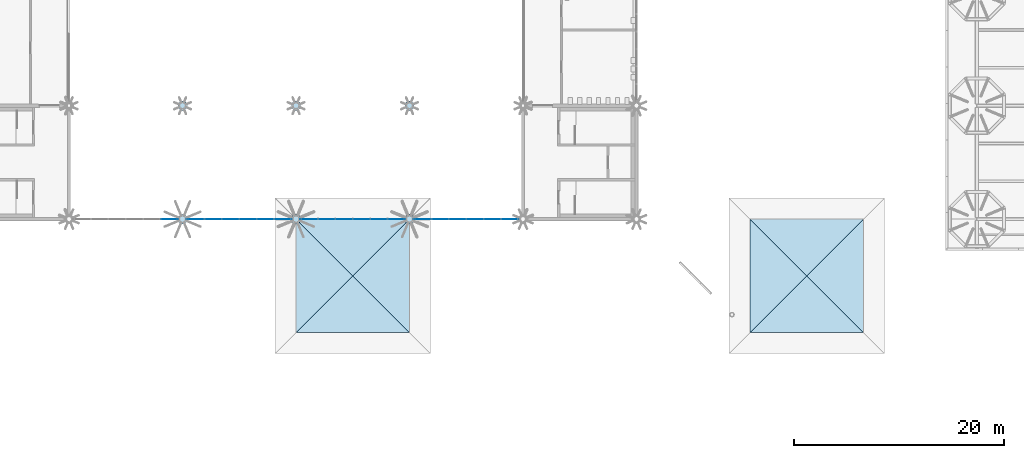
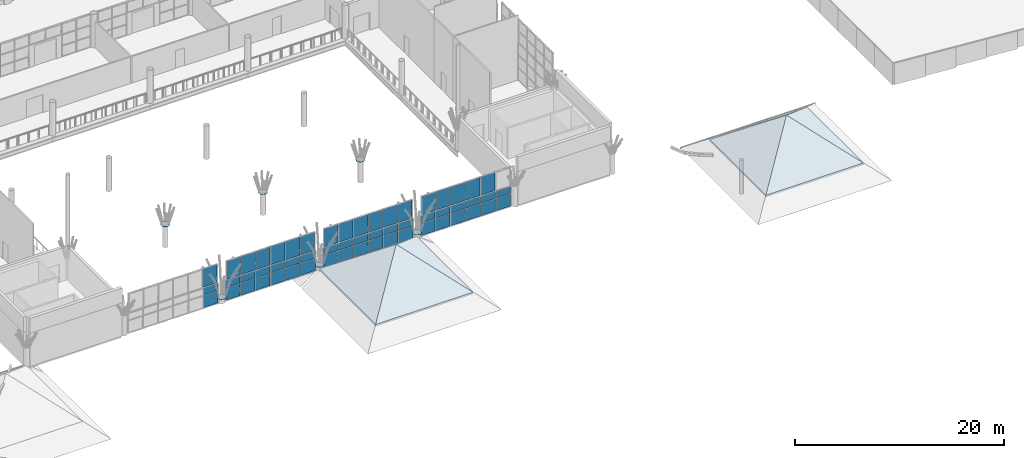
# One storey, part 48 of 95: 62 plates, 8 slabs, 8 elements without a shape of their own.
"""IFC4 building model written with IfcOpenShell, lengths in metres."""

import ifcopenshell
import ifcopenshell.guid

model = None  # the IFC model being written
_history = None  # IfcOwnerHistory: only IFC2X3 demands one
_inside = {}  # id of a spatial element -> (the spatial element, [elements in it])
_under = {}  # id of a project, library or spatial element -> (it, [spatial elements below it])
_declared = {}  # id of a project -> (the project, [libraries it declares])
_typed = {}  # id of a type object -> (the type object, [elements of that type])
_made_of = {}  # id of a material, layer set ... -> (it, [elements and type objects made of it])


def new_model(schema):
    """Start an empty IFC model of exactly this schema.

    Asked for "IFC4X3", IfcOpenShell would pick the latest addendum, in which some entities
    have other attributes; the version numbers below select the first issue.
    IFC2X3 requires an IfcOwnerHistory on every rooted entity: one is made here for all.
    """
    global model, _history
    if schema == "IFC4X3":
        model = ifcopenshell.file(schema_version=(4, 3, 0, 0))
    else:
        model = ifcopenshell.file(schema=schema)
    _inside.clear()
    _under.clear()
    _declared.clear()
    _typed.clear()
    _made_of.clear()
    _history = None
    if model.schema == "IFC2X3":
        org = make("IfcOrganization", Name="unknown")
        user = make(
            "IfcPersonAndOrganization",
            ThePerson=make("IfcPerson", FamilyName="unknown"),
            TheOrganization=org,
        )
        app = make(
            "IfcApplication",
            ApplicationDeveloper=org,
            Version="unknown",
            ApplicationFullName="unknown",
            ApplicationIdentifier="unknown",
        )
        _history = make(
            "IfcOwnerHistory",
            OwningUser=user,
            OwningApplication=app,
            ChangeAction="ADDED",
            CreationDate=0,
        )
    return model


def make(cls, **values):
    """One entity of the class cls with the attributes given. An attribute that is None is left unset."""
    return model.create_entity(
        cls, **{name: value for name, value in values.items() if value is not None}
    )


def rooted(cls, **values):
    """An entity with a GlobalId (a new one), such as an element, a storey or a relation."""
    return make(cls, GlobalId=ifcopenshell.guid.new(), OwnerHistory=_history, **values)


def si_unit(unit_type, name, prefix=None):
    """IfcSIUnit, for example si_unit("LENGTHUNIT", "METRE", prefix="MILLI")."""
    return make("IfcSIUnit", UnitType=unit_type, Prefix=prefix, Name=name)


def assignment(units):
    """IfcUnitAssignment: the units of a project."""
    return None if units is None else make("IfcUnitAssignment", Units=units)


def point(xyz):
    """IfcCartesianPoint."""
    return None if xyz is None else make("IfcCartesianPoint", Coordinates=xyz)


def direction(xyz):
    """IfcDirection."""
    return None if xyz is None else make("IfcDirection", DirectionRatios=xyz)


def frame(location, z_axis=None, x_axis=None):
    """IfcAxis2Placement3D, a coordinate frame: its origin and axes. An axis left out is left unset."""
    return make(
        "IfcAxis2Placement3D",
        Location=point(location),
        Axis=direction(z_axis),
        RefDirection=direction(x_axis),
    )


def frame_2d(location, x_axis=None):
    """IfcAxis2Placement2D, a coordinate frame in the plane: its origin and x axis."""
    return make(
        "IfcAxis2Placement2D", Location=point(location), RefDirection=direction(x_axis)
    )


def origin():
    """The frame at (0, 0, 0) with its axes left unset."""
    return frame((0.0, 0.0, 0.0))


def origin_2d():
    """The frame at (0, 0) in the plane with its x axis left unset."""
    return frame_2d((0.0, 0.0))


def place(relative_to, where):
    """IfcLocalPlacement: puts the frame where relative to a parent placement (None: the world)."""
    return make(
        "IfcLocalPlacement", PlacementRelTo=relative_to, RelativePlacement=where
    )


def context(
    kind, dimensions, precision=None, world=None, true_north=None, identifier=None
):
    """IfcGeometricRepresentationContext, for example the 3D "Model" context."""
    return make(
        "IfcGeometricRepresentationContext",
        ContextIdentifier=identifier,
        ContextType=kind,
        CoordinateSpaceDimension=dimensions,
        Precision=precision,
        WorldCoordinateSystem=world,
        TrueNorth=true_north,
    )


def subcontext(parent, identifier, kind, view, scale=None):
    """IfcGeometricRepresentationSubContext, for example "Body" below "Model"."""
    return make(
        "IfcGeometricRepresentationSubContext",
        ContextIdentifier=identifier,
        ContextType=kind,
        ParentContext=parent,
        TargetScale=scale,
        TargetView=view,
    )


def project(units=None, contexts=None):
    """IfcProject with its units and contexts."""
    return rooted(
        "IfcProject",
        Name="project",
        RepresentationContexts=contexts,
        UnitsInContext=assignment(units),
    )


def spatial(cls, under=None, at=None, **own):
    """A site, building, storey or space (cls), placed at a placement, below another one or the project."""
    s = rooted(cls, ObjectPlacement=at, **own)
    if under is not None:
        _under.setdefault(under.id(), (under, []))[1].append(s)
    return s


def polyline(points):
    """IfcPolyline through the points."""
    return make("IfcPolyline", Points=[point(p) for p in points])


def profile(cls, at=None, kind="AREA", **sizes):
    """A parametric profile (cls). Its sizes go by their IFC names, for example OverallWidth=200.0."""
    return make(cls, ProfileType=kind, Position=at, **sizes)


def rectangle(**sizes):
    """IfcRectangleProfileDef."""
    return profile("IfcRectangleProfileDef", **sizes)


def circle(**sizes):
    """IfcCircleProfileDef."""
    return profile("IfcCircleProfileDef", **sizes)


def outline(outer, holes=None, kind="AREA"):
    """IfcArbitraryClosedProfileDef: a profile drawn as a closed curve; with holes, ...WithVoids."""
    if holes is None:
        return make("IfcArbitraryClosedProfileDef", ProfileType=kind, OuterCurve=outer)
    return make(
        "IfcArbitraryProfileDefWithVoids",
        ProfileType=kind,
        OuterCurve=outer,
        InnerCurves=holes,
    )


def extrude(swept, where, along, depth):
    """IfcExtrudedAreaSolid: the profile swept, set in the frame where, extruded along a direction by depth."""
    return make(
        "IfcExtrudedAreaSolid",
        SweptArea=swept,
        Position=where,
        ExtrudedDirection=direction(along),
        Depth=depth,
    )


def shape(context_of_items, identifier, shape_type, items):
    """IfcShapeRepresentation: the items that make up one representation, for example the "Body"."""
    return make(
        "IfcShapeRepresentation",
        ContextOfItems=context_of_items,
        RepresentationIdentifier=identifier,
        RepresentationType=shape_type,
        Items=items,
    )


def material(Name=None, Category=None):
    """IfcMaterial."""
    return make("IfcMaterial", Name=Name, Category=Category)


def layer(
    of_material, thickness, ventilated=None, Name=None, Category=None, Priority=None
):
    """IfcMaterialLayer: one layer of a wall or slab, of a material (None: an air gap)."""
    return make(
        "IfcMaterialLayer",
        Material=of_material,
        LayerThickness=thickness,
        IsVentilated=ventilated,
        Name=Name,
        Category=Category,
        Priority=Priority,
    )


def layer_set(layers, Name=None):
    """IfcMaterialLayerSet."""
    return make("IfcMaterialLayerSet", MaterialLayers=layers, LayerSetName=Name)


def material_profile(
    of_material, cross_section, Name=None, Category=None, Priority=None
):
    """IfcMaterialProfile: a cross section and its material."""
    return make(
        "IfcMaterialProfile",
        Name=Name,
        Material=of_material,
        Profile=cross_section,
        Priority=Priority,
        Category=Category,
    )


def profile_set(profiles, Name=None, composite=None):
    """IfcMaterialProfileSet."""
    return make(
        "IfcMaterialProfileSet",
        Name=Name,
        MaterialProfiles=profiles,
        CompositeProfile=composite,
    )


def made_of(thing, what):
    """Note that an element or type object is made of a material, layer set ...; save() writes the relation."""
    if what is not None:
        _made_of.setdefault(what.id(), (what, []))[1].append(thing)
    return thing


def type_object(cls, material=None, **own):
    """A type object (cls), such as IfcWallType, which elements share."""
    return made_of(rooted(cls, **own), material)


def element(
    cls,
    number,
    at=None,
    inside=None,
    cuts=None,
    type_object=None,
    material=None,
    context=None,
    identifier="Body",
    shape_type=None,
    held_by="IfcProductDefinitionShape",
    body=None,
    shapes=None,
    **own,
):
    """One element of the class cls, such as IfcWall. Its Tag is "e" and its number.

    at: its placement. inside: the storey or other place that contains it. cuts: it is an
    opening in that element (IfcRelVoidsElement). A single representation is given by context,
    identifier, shape_type and body (its items); several are given by shapes. held_by: the class
    of the entity that holds the representations. save() writes the other relations.
    """
    e = rooted(cls, Tag="e%d" % number, ObjectPlacement=at, **own)
    if body is not None:
        shapes = [shape(context, identifier, shape_type, body)]
    if shapes is not None:
        e.Representation = make(held_by, Representations=shapes)
    if inside is not None:
        _inside.setdefault(inside.id(), (inside, []))[1].append(e)
    if cuts is not None:
        rooted(
            "IfcRelVoidsElement", RelatingBuildingElement=cuts, RelatedOpeningElement=e
        )
    if type_object is not None:
        _typed.setdefault(type_object.id(), (type_object, []))[1].append(e)
    return made_of(e, material)


def aggregate(whole, parts):
    """IfcRelAggregates: a whole, such as a stair, and the parts it consists of."""
    return rooted("IfcRelAggregates", RelatingObject=whole, RelatedObjects=parts)


def save(model, path):
    """Write the relations noted so far, then the file.

    IfcRelAggregates (storeys below a building ...), IfcRelContainedInSpatialStructure (elements
    in a storey), IfcRelDefinesByType, IfcRelAssociatesMaterial and IfcRelDeclares: one each for
    every whole, place, type object, material and project.
    """
    for whole, parts in _under.values():
        aggregate(whole, parts)
    for where, things in _inside.values():
        rooted(
            "IfcRelContainedInSpatialStructure",
            RelatedElements=things,
            RelatingStructure=where,
        )
    for kind, things in _typed.values():
        rooted("IfcRelDefinesByType", RelatedObjects=things, RelatingType=kind)
    for what, things in _made_of.values():
        rooted("IfcRelAssociatesMaterial", RelatedObjects=things, RelatingMaterial=what)
    for by, libraries in _declared.values():
        rooted("IfcRelDeclares", RelatingContext=by, RelatedDefinitions=libraries)
    model.write(path)


model = new_model("IFC4")

# Units and contexts
model_context = context("Model", 3, precision=1e-05, world=origin(), true_north=direction((0.0, 1.0)))
body_context = subcontext(model_context, "Body", "Model", "MODEL_VIEW")
ifc_project = project(units=[si_unit("LENGTHUNIT", "METRE"), si_unit("AREAUNIT", "SQUARE_METRE"), si_unit("VOLUMEUNIT", "CUBIC_METRE"), si_unit("PLANEANGLEUNIT", "RADIAN"), si_unit("MASSUNIT", "GRAM", prefix="KILO")], contexts=[model_context])

# Site, building, storey
site_placement = place(None, origin())
site = spatial("IfcSite", under=ifc_project, at=site_placement, CompositionType="ELEMENT")
building_placement = place(site_placement, origin())
building = spatial("IfcBuilding", under=site, at=building_placement, Name="Magnolia Steps Interchange", CompositionType="ELEMENT")
storey_placement = place(building_placement, frame((0.0, 0.0, 4.800048828125)))
storey = spatial("IfcBuildingStorey", under=building, at=storey_placement, Name="L01", CompositionType="ELEMENT", Elevation=4.800048828125)

# Curtain wall, plates
ifc_material_1 = material(Name="Powder-coated aluminium and glass", Category="aluminium")
ifc_layer_1 = layer(ifc_material_1, 0.14990234375)
ifc_layer_set_1 = layer_set([ifc_layer_1], Name="Glazed hall curtain wall")
curtain_wall_type_1 = type_object("IfcCurtainWallType", Name="Glazed hall curtain wall", PredefinedType="NOTDEFINED", material=ifc_layer_set_1)
curtain_wall_1_placement = place(storey_placement, origin())
curtain_wall_1 = element("IfcCurtainWall", 1, at=curtain_wall_1_placement, inside=storey, type_object=curtain_wall_type_1, Name="Hall glazing S2 L01", PredefinedType="NOTDEFINED")
ifc_material_2 = material(Name="Laminated glass", Category="glass")
ifc_layer_2 = layer(ifc_material_2, 0.028076171875)
ifc_layer_set_2 = layer_set([ifc_layer_2], Name="Glass panel 28")
plate_type_1 = type_object("IfcPlateType", Name="Glass panel 28", PredefinedType="CURTAIN_PANEL", material=ifc_layer_set_2)
plate_1_placement = place(storey_placement, frame((73.5849609375, 42.39990234375, 0.06005859375), z_axis=(0.0, 0.0, 1.0), x_axis=(1.0, 0.0, 0.0)))
plate_1 = element("IfcPlate", 2, at=plate_1_placement, type_object=plate_type_1, Name="CW1 panel 6.1", PredefinedType="CURTAIN_PANEL", context=body_context, shape_type="SweptSolid", body=[
    extrude(rectangle(XDim=1.590087890625, YDim=0.028076171875, at=origin_2d()), origin(), (0.0, 0.0, 1.0), 1.409912109375),
])
plate_2_placement = place(storey_placement, frame((73.5849609375, 42.39990234375, 1.530029296875), z_axis=(0.0, 0.0, 1.0), x_axis=(1.0, 0.0, 0.0)))
plate_2 = element("IfcPlate", 3, at=plate_2_placement, type_object=plate_type_1, Name="CW1 panel 6.2", PredefinedType="CURTAIN_PANEL", context=body_context, shape_type="SweptSolid", body=[
    extrude(rectangle(XDim=1.590087890625, YDim=0.028076171875, at=origin_2d()), origin(), (0.0, 0.0, 1.0), 0.81005859375),
])
aggregate(curtain_wall_1, [plate_1, plate_2])

# Curtain wall, plate
ifc_material_3 = material(Name="Powder-coated aluminium and glass", Category="aluminium")
ifc_layer_3 = layer(ifc_material_3, 0.1201171875)
ifc_layer_set_3 = layer_set([ifc_layer_3], Name="Hall clerestory curtain wall")
curtain_wall_type_2 = type_object("IfcCurtainWallType", Name="Hall clerestory curtain wall", PredefinedType="NOTDEFINED", material=ifc_layer_set_3)
curtain_wall_2_placement = place(storey_placement, origin())
curtain_wall_2 = element("IfcCurtainWall", 4, at=curtain_wall_2_placement, inside=storey, type_object=curtain_wall_type_2, Name="Hall clerestory S2", PredefinedType="NOTDEFINED")
plate_3_placement = place(storey_placement, frame((73.485107421875, 42.39990234375, 2.4599609375), z_axis=(0.0, 0.0, 1.0), x_axis=(1.0, 0.0, 0.0)))
plate_3 = element("IfcPlate", 5, at=plate_3_placement, type_object=plate_type_1, Name="CW6 panel 6.1", PredefinedType="CURTAIN_PANEL", context=body_context, shape_type="SweptSolid", body=[
    extrude(rectangle(XDim=1.550048828125, YDim=0.028076171875, at=origin_2d()), origin(), (0.0, 0.0, 1.0), 2.12890625),
])
aggregate(curtain_wall_2, [plate_3])

# Curtain wall, plates
curtain_wall_3_placement = place(storey_placement, origin())
curtain_wall_3 = element("IfcCurtainWall", 6, at=curtain_wall_3_placement, inside=storey, type_object=curtain_wall_type_1, Name="Hall glazing S3 L01", PredefinedType="NOTDEFINED")
plate_4_placement = place(storey_placement, frame((76.014892578125, 42.39990234375, 0.06005859375), z_axis=(0.0, 0.0, 1.0), x_axis=(1.0, 0.0, 0.0)))
plate_4 = element("IfcPlate", 7, at=plate_4_placement, type_object=plate_type_1, Name="CW1 panel 1.1", PredefinedType="CURTAIN_PANEL", context=body_context, shape_type="SweptSolid", body=[
    extrude(rectangle(XDim=1.590087890625, YDim=0.028076171875, at=origin_2d()), origin(), (0.0, 0.0, 1.0), 1.409912109375),
])
plate_5_placement = place(storey_placement, frame((76.014892578125, 42.39990234375, 1.530029296875), z_axis=(0.0, 0.0, 1.0), x_axis=(1.0, 0.0, 0.0)))
plate_5 = element("IfcPlate", 8, at=plate_5_placement, type_object=plate_type_1, Name="CW1 panel 1.2", PredefinedType="CURTAIN_PANEL", context=body_context, shape_type="SweptSolid", body=[
    extrude(rectangle(XDim=1.590087890625, YDim=0.028076171875, at=origin_2d()), origin(), (0.0, 0.0, 1.0), 0.81005859375),
])
plate_6_placement = place(storey_placement, frame((77.679931640625, 42.39990234375, 0.06005859375), z_axis=(0.0, 0.0, 1.0), x_axis=(1.0, 0.0, 0.0)))
plate_6 = element("IfcPlate", 9, at=plate_6_placement, type_object=plate_type_1, Name="CW1 panel 2.1", PredefinedType="CURTAIN_PANEL", context=body_context, shape_type="SweptSolid", body=[
    extrude(rectangle(XDim=1.6201171875, YDim=0.028076171875, at=origin_2d()), origin(), (0.0, 0.0, 1.0), 1.409912109375),
])
plate_7_placement = place(storey_placement, frame((77.679931640625, 42.39990234375, 1.530029296875), z_axis=(0.0, 0.0, 1.0), x_axis=(1.0, 0.0, 0.0)))
plate_7 = element("IfcPlate", 10, at=plate_7_placement, type_object=plate_type_1, Name="CW1 panel 2.2", PredefinedType="CURTAIN_PANEL", context=body_context, shape_type="SweptSolid", body=[
    extrude(rectangle(XDim=1.6201171875, YDim=0.028076171875, at=origin_2d()), origin(), (0.0, 0.0, 1.0), 0.81005859375),
])
plate_8_placement = place(storey_placement, frame((79.360107421875, 42.39990234375, 0.06005859375), z_axis=(0.0, 0.0, 1.0), x_axis=(1.0, 0.0, 0.0)))
plate_8 = element("IfcPlate", 11, at=plate_8_placement, type_object=plate_type_1, Name="CW1 panel 3.1", PredefinedType="CURTAIN_PANEL", context=body_context, shape_type="SweptSolid", body=[
    extrude(rectangle(XDim=1.6201171875, YDim=0.028076171875, at=origin_2d()), origin(), (0.0, 0.0, 1.0), 1.409912109375),
])
plate_9_placement = place(storey_placement, frame((79.360107421875, 42.39990234375, 1.530029296875), z_axis=(0.0, 0.0, 1.0), x_axis=(1.0, 0.0, 0.0)))
plate_9 = element("IfcPlate", 12, at=plate_9_placement, type_object=plate_type_1, Name="CW1 panel 3.2", PredefinedType="CURTAIN_PANEL", context=body_context, shape_type="SweptSolid", body=[
    extrude(rectangle(XDim=1.6201171875, YDim=0.028076171875, at=origin_2d()), origin(), (0.0, 0.0, 1.0), 0.81005859375),
])
plate_10_placement = place(storey_placement, frame((81.0400390625, 42.39990234375, 0.06005859375), z_axis=(0.0, 0.0, 1.0), x_axis=(1.0, 0.0, 0.0)))
plate_10 = element("IfcPlate", 13, at=plate_10_placement, type_object=plate_type_1, Name="CW1 panel 4.1", PredefinedType="CURTAIN_PANEL", context=body_context, shape_type="SweptSolid", body=[
    extrude(rectangle(XDim=1.6201171875, YDim=0.028076171875, at=origin_2d()), origin(), (0.0, 0.0, 1.0), 1.409912109375),
])
plate_11_placement = place(storey_placement, frame((81.0400390625, 42.39990234375, 1.530029296875), z_axis=(0.0, 0.0, 1.0), x_axis=(1.0, 0.0, 0.0)))
plate_11 = element("IfcPlate", 14, at=plate_11_placement, type_object=plate_type_1, Name="CW1 panel 4.2", PredefinedType="CURTAIN_PANEL", context=body_context, shape_type="SweptSolid", body=[
    extrude(rectangle(XDim=1.6201171875, YDim=0.028076171875, at=origin_2d()), origin(), (0.0, 0.0, 1.0), 0.81005859375),
])
plate_12_placement = place(storey_placement, frame((82.719970703125, 42.39990234375, 0.06005859375), z_axis=(0.0, 0.0, 1.0), x_axis=(1.0, 0.0, 0.0)))
plate_12 = element("IfcPlate", 15, at=plate_12_placement, type_object=plate_type_1, Name="CW1 panel 5.1", PredefinedType="CURTAIN_PANEL", context=body_context, shape_type="SweptSolid", body=[
    extrude(rectangle(XDim=1.6201171875, YDim=0.028076171875, at=origin_2d()), origin(), (0.0, 0.0, 1.0), 1.409912109375),
])
plate_13_placement = place(storey_placement, frame((82.719970703125, 42.39990234375, 1.530029296875), z_axis=(0.0, 0.0, 1.0), x_axis=(1.0, 0.0, 0.0)))
plate_13 = element("IfcPlate", 16, at=plate_13_placement, type_object=plate_type_1, Name="CW1 panel 5.2", PredefinedType="CURTAIN_PANEL", context=body_context, shape_type="SweptSolid", body=[
    extrude(rectangle(XDim=1.6201171875, YDim=0.028076171875, at=origin_2d()), origin(), (0.0, 0.0, 1.0), 0.81005859375),
])
plate_14_placement = place(storey_placement, frame((84.385009765625, 42.39990234375, 0.06005859375), z_axis=(0.0, 0.0, 1.0), x_axis=(1.0, 0.0, 0.0)))
plate_14 = element("IfcPlate", 17, at=plate_14_placement, type_object=plate_type_1, Name="CW1 panel 6.1", PredefinedType="CURTAIN_PANEL", context=body_context, shape_type="SweptSolid", body=[
    extrude(rectangle(XDim=1.590087890625, YDim=0.028076171875, at=origin_2d()), origin(), (0.0, 0.0, 1.0), 1.409912109375),
])
plate_15_placement = place(storey_placement, frame((84.385009765625, 42.39990234375, 1.530029296875), z_axis=(0.0, 0.0, 1.0), x_axis=(1.0, 0.0, 0.0)))
plate_15 = element("IfcPlate", 18, at=plate_15_placement, type_object=plate_type_1, Name="CW1 panel 6.2", PredefinedType="CURTAIN_PANEL", context=body_context, shape_type="SweptSolid", body=[
    extrude(rectangle(XDim=1.590087890625, YDim=0.028076171875, at=origin_2d()), origin(), (0.0, 0.0, 1.0), 0.81005859375),
])
aggregate(curtain_wall_3, [plate_4, plate_5, plate_6, plate_7, plate_8, plate_9, plate_10, plate_11, plate_12, plate_13, plate_14, plate_15])

curtain_wall_4_placement = place(storey_placement, origin())
curtain_wall_4 = element("IfcCurtainWall", 19, at=curtain_wall_4_placement, inside=storey, type_object=curtain_wall_type_2, Name="Hall clerestory S3", PredefinedType="NOTDEFINED")
plate_16_placement = place(storey_placement, frame((76.114990234375, 42.39990234375, 2.4599609375), z_axis=(0.0, 0.0, 1.0), x_axis=(1.0, 0.0, 0.0)))
plate_16 = element("IfcPlate", 20, at=plate_16_placement, type_object=plate_type_1, Name="CW6 panel 1.1", PredefinedType="CURTAIN_PANEL", context=body_context, shape_type="SweptSolid", body=[
    extrude(rectangle(XDim=1.550048828125, YDim=0.028076171875, at=origin_2d()), origin(), (0.0, 0.0, 1.0), 2.12890625),
])
plate_17_placement = place(storey_placement, frame((77.739990234375, 42.39990234375, 2.4599609375), z_axis=(0.0, 0.0, 1.0), x_axis=(1.0, 0.0, 0.0)))
plate_17 = element("IfcPlate", 21, at=plate_17_placement, type_object=plate_type_1, Name="CW6 panel 2.1", PredefinedType="CURTAIN_PANEL", context=body_context, shape_type="SweptSolid", body=[
    extrude(rectangle(XDim=1.580078125, YDim=0.028076171875, at=origin_2d()), origin(), (0.0, 0.0, 1.0), 2.12890625),
])
plate_18_placement = place(storey_placement, frame((79.3798828125, 42.39990234375, 2.4599609375), z_axis=(0.0, 0.0, 1.0), x_axis=(1.0, 0.0, 0.0)))
plate_18 = element("IfcPlate", 22, at=plate_18_placement, type_object=plate_type_1, Name="CW6 panel 3.1", PredefinedType="CURTAIN_PANEL", context=body_context, shape_type="SweptSolid", body=[
    extrude(rectangle(XDim=1.580078125, YDim=0.028076171875, at=origin_2d()), origin(), (0.0, 0.0, 1.0), 2.12890625),
])
plate_19_placement = place(storey_placement, frame((81.02001953125, 42.39990234375, 2.4599609375), z_axis=(0.0, 0.0, 1.0), x_axis=(1.0, 0.0, 0.0)))
plate_19 = element("IfcPlate", 23, at=plate_19_placement, type_object=plate_type_1, Name="CW6 panel 4.1", PredefinedType="CURTAIN_PANEL", context=body_context, shape_type="SweptSolid", body=[
    extrude(rectangle(XDim=1.580078125, YDim=0.028076171875, at=origin_2d()), origin(), (0.0, 0.0, 1.0), 2.12890625),
])
plate_20_placement = place(storey_placement, frame((82.659912109375, 42.39990234375, 2.4599609375), z_axis=(0.0, 0.0, 1.0), x_axis=(1.0, 0.0, 0.0)))
plate_20 = element("IfcPlate", 24, at=plate_20_placement, type_object=plate_type_1, Name="CW6 panel 5.1", PredefinedType="CURTAIN_PANEL", context=body_context, shape_type="SweptSolid", body=[
    extrude(rectangle(XDim=1.580078125, YDim=0.028076171875, at=origin_2d()), origin(), (0.0, 0.0, 1.0), 2.12890625),
])
plate_21_placement = place(storey_placement, frame((84.284912109375, 42.39990234375, 2.4599609375), z_axis=(0.0, 0.0, 1.0), x_axis=(1.0, 0.0, 0.0)))
plate_21 = element("IfcPlate", 25, at=plate_21_placement, type_object=plate_type_1, Name="CW6 panel 6.1", PredefinedType="CURTAIN_PANEL", context=body_context, shape_type="SweptSolid", body=[
    extrude(rectangle(XDim=1.550048828125, YDim=0.028076171875, at=origin_2d()), origin(), (0.0, 0.0, 1.0), 2.12890625),
])
aggregate(curtain_wall_4, [plate_16, plate_17, plate_18, plate_19, plate_20, plate_21])

curtain_wall_5_placement = place(storey_placement, origin())
curtain_wall_5 = element("IfcCurtainWall", 26, at=curtain_wall_5_placement, inside=storey, type_object=curtain_wall_type_1, Name="Hall glazing S4 L01", PredefinedType="NOTDEFINED")
plate_22_placement = place(storey_placement, frame((86.81494140625, 42.39990234375, 0.06005859375), z_axis=(0.0, 0.0, 1.0), x_axis=(1.0, 0.0, 0.0)))
plate_22 = element("IfcPlate", 27, at=plate_22_placement, type_object=plate_type_1, Name="CW1 panel 1.1", PredefinedType="CURTAIN_PANEL", context=body_context, shape_type="SweptSolid", body=[
    extrude(rectangle(XDim=1.590087890625, YDim=0.028076171875, at=origin_2d()), origin(), (0.0, 0.0, 1.0), 1.409912109375),
])
plate_23_placement = place(storey_placement, frame((86.81494140625, 42.39990234375, 1.530029296875), z_axis=(0.0, 0.0, 1.0), x_axis=(1.0, 0.0, 0.0)))
plate_23 = element("IfcPlate", 28, at=plate_23_placement, type_object=plate_type_1, Name="CW1 panel 1.2", PredefinedType="CURTAIN_PANEL", context=body_context, shape_type="SweptSolid", body=[
    extrude(rectangle(XDim=1.590087890625, YDim=0.028076171875, at=origin_2d()), origin(), (0.0, 0.0, 1.0), 0.81005859375),
])
plate_24_placement = place(storey_placement, frame((88.47998046875, 42.39990234375, 0.06005859375), z_axis=(0.0, 0.0, 1.0), x_axis=(1.0, 0.0, 0.0)))
plate_24 = element("IfcPlate", 29, at=plate_24_placement, type_object=plate_type_1, Name="CW1 panel 2.1", PredefinedType="CURTAIN_PANEL", context=body_context, shape_type="SweptSolid", body=[
    extrude(rectangle(XDim=1.6201171875, YDim=0.028076171875, at=origin_2d()), origin(), (0.0, 0.0, 1.0), 1.409912109375),
])
plate_25_placement = place(storey_placement, frame((88.47998046875, 42.39990234375, 1.530029296875), z_axis=(0.0, 0.0, 1.0), x_axis=(1.0, 0.0, 0.0)))
plate_25 = element("IfcPlate", 30, at=plate_25_placement, type_object=plate_type_1, Name="CW1 panel 2.2", PredefinedType="CURTAIN_PANEL", context=body_context, shape_type="SweptSolid", body=[
    extrude(rectangle(XDim=1.6201171875, YDim=0.028076171875, at=origin_2d()), origin(), (0.0, 0.0, 1.0), 0.81005859375),
])
plate_26_placement = place(storey_placement, frame((90.159912109375, 42.39990234375, 0.06005859375), z_axis=(0.0, 0.0, 1.0), x_axis=(1.0, 0.0, 0.0)))
plate_26 = element("IfcPlate", 31, at=plate_26_placement, type_object=plate_type_1, Name="CW1 panel 3.1", PredefinedType="CURTAIN_PANEL", context=body_context, shape_type="SweptSolid", body=[
    extrude(rectangle(XDim=1.6201171875, YDim=0.028076171875, at=origin_2d()), origin(), (0.0, 0.0, 1.0), 1.409912109375),
])
plate_27_placement = place(storey_placement, frame((90.159912109375, 42.39990234375, 1.530029296875), z_axis=(0.0, 0.0, 1.0), x_axis=(1.0, 0.0, 0.0)))
plate_27 = element("IfcPlate", 32, at=plate_27_placement, type_object=plate_type_1, Name="CW1 panel 3.2", PredefinedType="CURTAIN_PANEL", context=body_context, shape_type="SweptSolid", body=[
    extrude(rectangle(XDim=1.6201171875, YDim=0.028076171875, at=origin_2d()), origin(), (0.0, 0.0, 1.0), 0.81005859375),
])
plate_28_placement = place(storey_placement, frame((91.840087890625, 42.39990234375, 0.06005859375), z_axis=(0.0, 0.0, 1.0), x_axis=(1.0, 0.0, 0.0)))
plate_28 = element("IfcPlate", 33, at=plate_28_placement, type_object=plate_type_1, Name="CW1 panel 4.1", PredefinedType="CURTAIN_PANEL", context=body_context, shape_type="SweptSolid", body=[
    extrude(rectangle(XDim=1.6201171875, YDim=0.028076171875, at=origin_2d()), origin(), (0.0, 0.0, 1.0), 1.409912109375),
])
plate_29_placement = place(storey_placement, frame((91.840087890625, 42.39990234375, 1.530029296875), z_axis=(0.0, 0.0, 1.0), x_axis=(1.0, 0.0, 0.0)))
plate_29 = element("IfcPlate", 34, at=plate_29_placement, type_object=plate_type_1, Name="CW1 panel 4.2", PredefinedType="CURTAIN_PANEL", context=body_context, shape_type="SweptSolid", body=[
    extrude(rectangle(XDim=1.6201171875, YDim=0.028076171875, at=origin_2d()), origin(), (0.0, 0.0, 1.0), 0.81005859375),
])
plate_30_placement = place(storey_placement, frame((93.52001953125, 42.39990234375, 0.06005859375), z_axis=(0.0, 0.0, 1.0), x_axis=(1.0, 0.0, 0.0)))
plate_30 = element("IfcPlate", 35, at=plate_30_placement, type_object=plate_type_1, Name="CW1 panel 5.1", PredefinedType="CURTAIN_PANEL", context=body_context, shape_type="SweptSolid", body=[
    extrude(rectangle(XDim=1.6201171875, YDim=0.028076171875, at=origin_2d()), origin(), (0.0, 0.0, 1.0), 1.409912109375),
])
plate_31_placement = place(storey_placement, frame((93.52001953125, 42.39990234375, 1.530029296875), z_axis=(0.0, 0.0, 1.0), x_axis=(1.0, 0.0, 0.0)))
plate_31 = element("IfcPlate", 36, at=plate_31_placement, type_object=plate_type_1, Name="CW1 panel 5.2", PredefinedType="CURTAIN_PANEL", context=body_context, shape_type="SweptSolid", body=[
    extrude(rectangle(XDim=1.6201171875, YDim=0.028076171875, at=origin_2d()), origin(), (0.0, 0.0, 1.0), 0.81005859375),
])
plate_32_placement = place(storey_placement, frame((95.18505859375, 42.39990234375, 0.06005859375), z_axis=(0.0, 0.0, 1.0), x_axis=(1.0, 0.0, 0.0)))
plate_32 = element("IfcPlate", 37, at=plate_32_placement, type_object=plate_type_1, Name="CW1 panel 6.1", PredefinedType="CURTAIN_PANEL", context=body_context, shape_type="SweptSolid", body=[
    extrude(rectangle(XDim=1.590087890625, YDim=0.028076171875, at=origin_2d()), origin(), (0.0, 0.0, 1.0), 1.409912109375),
])
plate_33_placement = place(storey_placement, frame((95.18505859375, 42.39990234375, 1.530029296875), z_axis=(0.0, 0.0, 1.0), x_axis=(1.0, 0.0, 0.0)))
plate_33 = element("IfcPlate", 38, at=plate_33_placement, type_object=plate_type_1, Name="CW1 panel 6.2", PredefinedType="CURTAIN_PANEL", context=body_context, shape_type="SweptSolid", body=[
    extrude(rectangle(XDim=1.590087890625, YDim=0.028076171875, at=origin_2d()), origin(), (0.0, 0.0, 1.0), 0.81005859375),
])
aggregate(curtain_wall_5, [plate_22, plate_23, plate_24, plate_25, plate_26, plate_27, plate_28, plate_29, plate_30, plate_31, plate_32, plate_33])

curtain_wall_6_placement = place(storey_placement, origin())
curtain_wall_6 = element("IfcCurtainWall", 39, at=curtain_wall_6_placement, inside=storey, type_object=curtain_wall_type_2, Name="Hall clerestory S4", PredefinedType="NOTDEFINED")
plate_34_placement = place(storey_placement, frame((86.9150390625, 42.39990234375, 2.4599609375), z_axis=(0.0, 0.0, 1.0), x_axis=(1.0, 0.0, 0.0)))
plate_34 = element("IfcPlate", 40, at=plate_34_placement, type_object=plate_type_1, Name="CW6 panel 1.1", PredefinedType="CURTAIN_PANEL", context=body_context, shape_type="SweptSolid", body=[
    extrude(rectangle(XDim=1.550048828125, YDim=0.028076171875, at=origin_2d()), origin(), (0.0, 0.0, 1.0), 2.12890625),
])
plate_35_placement = place(storey_placement, frame((88.5400390625, 42.39990234375, 2.4599609375), z_axis=(0.0, 0.0, 1.0), x_axis=(1.0, 0.0, 0.0)))
plate_35 = element("IfcPlate", 41, at=plate_35_placement, type_object=plate_type_1, Name="CW6 panel 2.1", PredefinedType="CURTAIN_PANEL", context=body_context, shape_type="SweptSolid", body=[
    extrude(rectangle(XDim=1.580078125, YDim=0.028076171875, at=origin_2d()), origin(), (0.0, 0.0, 1.0), 2.12890625),
])
plate_36_placement = place(storey_placement, frame((90.179931640625, 42.39990234375, 2.4599609375), z_axis=(0.0, 0.0, 1.0), x_axis=(1.0, 0.0, 0.0)))
plate_36 = element("IfcPlate", 42, at=plate_36_placement, type_object=plate_type_1, Name="CW6 panel 3.1", PredefinedType="CURTAIN_PANEL", context=body_context, shape_type="SweptSolid", body=[
    extrude(rectangle(XDim=1.580078125, YDim=0.028076171875, at=origin_2d()), origin(), (0.0, 0.0, 1.0), 2.12890625),
])
plate_37_placement = place(storey_placement, frame((91.820068359375, 42.39990234375, 2.4599609375), z_axis=(0.0, 0.0, 1.0), x_axis=(1.0, 0.0, 0.0)))
plate_37 = element("IfcPlate", 43, at=plate_37_placement, type_object=plate_type_1, Name="CW6 panel 4.1", PredefinedType="CURTAIN_PANEL", context=body_context, shape_type="SweptSolid", body=[
    extrude(rectangle(XDim=1.580078125, YDim=0.028076171875, at=origin_2d()), origin(), (0.0, 0.0, 1.0), 2.12890625),
])
plate_38_placement = place(storey_placement, frame((93.4599609375, 42.39990234375, 2.4599609375), z_axis=(0.0, 0.0, 1.0), x_axis=(1.0, 0.0, 0.0)))
plate_38 = element("IfcPlate", 44, at=plate_38_placement, type_object=plate_type_1, Name="CW6 panel 5.1", PredefinedType="CURTAIN_PANEL", context=body_context, shape_type="SweptSolid", body=[
    extrude(rectangle(XDim=1.580078125, YDim=0.028076171875, at=origin_2d()), origin(), (0.0, 0.0, 1.0), 2.12890625),
])
plate_39_placement = place(storey_placement, frame((95.0849609375, 42.39990234375, 2.4599609375), z_axis=(0.0, 0.0, 1.0), x_axis=(1.0, 0.0, 0.0)))
plate_39 = element("IfcPlate", 45, at=plate_39_placement, type_object=plate_type_1, Name="CW6 panel 6.1", PredefinedType="CURTAIN_PANEL", context=body_context, shape_type="SweptSolid", body=[
    extrude(rectangle(XDim=1.550048828125, YDim=0.028076171875, at=origin_2d()), origin(), (0.0, 0.0, 1.0), 2.12890625),
])
aggregate(curtain_wall_6, [plate_34, plate_35, plate_36, plate_37, plate_38, plate_39])

curtain_wall_7_placement = place(storey_placement, origin())
curtain_wall_7 = element("IfcCurtainWall", 46, at=curtain_wall_7_placement, inside=storey, type_object=curtain_wall_type_1, Name="Hall glazing S5 L01", PredefinedType="NOTDEFINED")
plate_40_placement = place(storey_placement, frame((97.614990234375, 42.39990234375, 0.06005859375), z_axis=(0.0, 0.0, 1.0), x_axis=(1.0, 0.0, 0.0)))
plate_40 = element("IfcPlate", 47, at=plate_40_placement, type_object=plate_type_1, Name="CW1 panel 1.1", PredefinedType="CURTAIN_PANEL", context=body_context, shape_type="SweptSolid", body=[
    extrude(rectangle(XDim=1.590087890625, YDim=0.028076171875, at=origin_2d()), origin(), (0.0, 0.0, 1.0), 1.409912109375),
])
plate_41_placement = place(storey_placement, frame((97.614990234375, 42.39990234375, 1.530029296875), z_axis=(0.0, 0.0, 1.0), x_axis=(1.0, 0.0, 0.0)))
plate_41 = element("IfcPlate", 48, at=plate_41_placement, type_object=plate_type_1, Name="CW1 panel 1.2", PredefinedType="CURTAIN_PANEL", context=body_context, shape_type="SweptSolid", body=[
    extrude(rectangle(XDim=1.590087890625, YDim=0.028076171875, at=origin_2d()), origin(), (0.0, 0.0, 1.0), 0.81005859375),
])
plate_42_placement = place(storey_placement, frame((99.280029296875, 42.39990234375, 0.06005859375), z_axis=(0.0, 0.0, 1.0), x_axis=(1.0, 0.0, 0.0)))
plate_42 = element("IfcPlate", 49, at=plate_42_placement, type_object=plate_type_1, Name="CW1 panel 2.1", PredefinedType="CURTAIN_PANEL", context=body_context, shape_type="SweptSolid", body=[
    extrude(rectangle(XDim=1.6201171875, YDim=0.028076171875, at=origin_2d()), origin(), (0.0, 0.0, 1.0), 1.409912109375),
])
plate_43_placement = place(storey_placement, frame((99.280029296875, 42.39990234375, 1.530029296875), z_axis=(0.0, 0.0, 1.0), x_axis=(1.0, 0.0, 0.0)))
plate_43 = element("IfcPlate", 50, at=plate_43_placement, type_object=plate_type_1, Name="CW1 panel 2.2", PredefinedType="CURTAIN_PANEL", context=body_context, shape_type="SweptSolid", body=[
    extrude(rectangle(XDim=1.6201171875, YDim=0.028076171875, at=origin_2d()), origin(), (0.0, 0.0, 1.0), 0.81005859375),
])
plate_44_placement = place(storey_placement, frame((100.9599609375, 42.39990234375, 0.06005859375), z_axis=(0.0, 0.0, 1.0), x_axis=(1.0, 0.0, 0.0)))
plate_44 = element("IfcPlate", 51, at=plate_44_placement, type_object=plate_type_1, Name="CW1 panel 3.1", PredefinedType="CURTAIN_PANEL", context=body_context, shape_type="SweptSolid", body=[
    extrude(rectangle(XDim=1.6201171875, YDim=0.028076171875, at=origin_2d()), origin(), (0.0, 0.0, 1.0), 1.409912109375),
])
plate_45_placement = place(storey_placement, frame((100.9599609375, 42.39990234375, 1.530029296875), z_axis=(0.0, 0.0, 1.0), x_axis=(1.0, 0.0, 0.0)))
plate_45 = element("IfcPlate", 52, at=plate_45_placement, type_object=plate_type_1, Name="CW1 panel 3.2", PredefinedType="CURTAIN_PANEL", context=body_context, shape_type="SweptSolid", body=[
    extrude(rectangle(XDim=1.6201171875, YDim=0.028076171875, at=origin_2d()), origin(), (0.0, 0.0, 1.0), 0.81005859375),
])
plate_46_placement = place(storey_placement, frame((102.639892578125, 42.39990234375, 0.06005859375), z_axis=(0.0, 0.0, 1.0), x_axis=(1.0, 0.0, 0.0)))
plate_46 = element("IfcPlate", 53, at=plate_46_placement, type_object=plate_type_1, Name="CW1 panel 4.1", PredefinedType="CURTAIN_PANEL", context=body_context, shape_type="SweptSolid", body=[
    extrude(rectangle(XDim=1.6201171875, YDim=0.028076171875, at=origin_2d()), origin(), (0.0, 0.0, 1.0), 1.409912109375),
])
plate_47_placement = place(storey_placement, frame((102.639892578125, 42.39990234375, 1.530029296875), z_axis=(0.0, 0.0, 1.0), x_axis=(1.0, 0.0, 0.0)))
plate_47 = element("IfcPlate", 54, at=plate_47_placement, type_object=plate_type_1, Name="CW1 panel 4.2", PredefinedType="CURTAIN_PANEL", context=body_context, shape_type="SweptSolid", body=[
    extrude(rectangle(XDim=1.6201171875, YDim=0.028076171875, at=origin_2d()), origin(), (0.0, 0.0, 1.0), 0.81005859375),
])
plate_48_placement = place(storey_placement, frame((104.320068359375, 42.39990234375, 0.06005859375), z_axis=(0.0, 0.0, 1.0), x_axis=(1.0, 0.0, 0.0)))
plate_48 = element("IfcPlate", 55, at=plate_48_placement, type_object=plate_type_1, Name="CW1 panel 5.1", PredefinedType="CURTAIN_PANEL", context=body_context, shape_type="SweptSolid", body=[
    extrude(rectangle(XDim=1.6201171875, YDim=0.028076171875, at=origin_2d()), origin(), (0.0, 0.0, 1.0), 1.409912109375),
])
plate_49_placement = place(storey_placement, frame((104.320068359375, 42.39990234375, 1.530029296875), z_axis=(0.0, 0.0, 1.0), x_axis=(1.0, 0.0, 0.0)))
plate_49 = element("IfcPlate", 56, at=plate_49_placement, type_object=plate_type_1, Name="CW1 panel 5.2", PredefinedType="CURTAIN_PANEL", context=body_context, shape_type="SweptSolid", body=[
    extrude(rectangle(XDim=1.6201171875, YDim=0.028076171875, at=origin_2d()), origin(), (0.0, 0.0, 1.0), 0.81005859375),
])
plate_50_placement = place(storey_placement, frame((105.985107421875, 42.39990234375, 0.06005859375), z_axis=(0.0, 0.0, 1.0), x_axis=(1.0, 0.0, 0.0)))
plate_50 = element("IfcPlate", 57, at=plate_50_placement, type_object=plate_type_1, Name="CW1 panel 6.1", PredefinedType="CURTAIN_PANEL", context=body_context, shape_type="SweptSolid", body=[
    extrude(rectangle(XDim=1.590087890625, YDim=0.028076171875, at=origin_2d()), origin(), (0.0, 0.0, 1.0), 1.409912109375),
])
plate_51_placement = place(storey_placement, frame((105.985107421875, 42.39990234375, 1.530029296875), z_axis=(0.0, 0.0, 1.0), x_axis=(1.0, 0.0, 0.0)))
plate_51 = element("IfcPlate", 58, at=plate_51_placement, type_object=plate_type_1, Name="CW1 panel 6.2", PredefinedType="CURTAIN_PANEL", context=body_context, shape_type="SweptSolid", body=[
    extrude(rectangle(XDim=1.590087890625, YDim=0.028076171875, at=origin_2d()), origin(), (0.0, 0.0, 1.0), 0.81005859375),
])
aggregate(curtain_wall_7, [plate_40, plate_41, plate_42, plate_43, plate_44, plate_45, plate_46, plate_47, plate_48, plate_49, plate_50, plate_51])

curtain_wall_8_placement = place(storey_placement, origin())
curtain_wall_8 = element("IfcCurtainWall", 59, at=curtain_wall_8_placement, inside=storey, type_object=curtain_wall_type_2, Name="Hall clerestory S5", PredefinedType="NOTDEFINED")
plate_52_placement = place(storey_placement, frame((97.715087890625, 42.39990234375, 2.4599609375), z_axis=(0.0, 0.0, 1.0), x_axis=(1.0, 0.0, 0.0)))
plate_52 = element("IfcPlate", 60, at=plate_52_placement, type_object=plate_type_1, Name="CW6 panel 1.1", PredefinedType="CURTAIN_PANEL", context=body_context, shape_type="SweptSolid", body=[
    extrude(rectangle(XDim=1.550048828125, YDim=0.028076171875, at=origin_2d()), origin(), (0.0, 0.0, 1.0), 2.12890625),
])
plate_53_placement = place(storey_placement, frame((99.340087890625, 42.39990234375, 2.4599609375), z_axis=(0.0, 0.0, 1.0), x_axis=(1.0, 0.0, 0.0)))
plate_53 = element("IfcPlate", 61, at=plate_53_placement, type_object=plate_type_1, Name="CW6 panel 2.1", PredefinedType="CURTAIN_PANEL", context=body_context, shape_type="SweptSolid", body=[
    extrude(rectangle(XDim=1.580078125, YDim=0.028076171875, at=origin_2d()), origin(), (0.0, 0.0, 1.0), 2.12890625),
])
plate_54_placement = place(storey_placement, frame((100.97998046875, 42.39990234375, 2.4599609375), z_axis=(0.0, 0.0, 1.0), x_axis=(1.0, 0.0, 0.0)))
plate_54 = element("IfcPlate", 62, at=plate_54_placement, type_object=plate_type_1, Name="CW6 panel 3.1", PredefinedType="CURTAIN_PANEL", context=body_context, shape_type="SweptSolid", body=[
    extrude(rectangle(XDim=1.580078125, YDim=0.028076171875, at=origin_2d()), origin(), (0.0, 0.0, 1.0), 2.12890625),
])
plate_55_placement = place(storey_placement, frame((102.6201171875, 42.39990234375, 2.4599609375), z_axis=(0.0, 0.0, 1.0), x_axis=(1.0, 0.0, 0.0)))
plate_55 = element("IfcPlate", 63, at=plate_55_placement, type_object=plate_type_1, Name="CW6 panel 4.1", PredefinedType="CURTAIN_PANEL", context=body_context, shape_type="SweptSolid", body=[
    extrude(rectangle(XDim=1.580078125, YDim=0.028076171875, at=origin_2d()), origin(), (0.0, 0.0, 1.0), 2.12890625),
])
plate_56_placement = place(storey_placement, frame((104.260009765625, 42.39990234375, 2.4599609375), z_axis=(0.0, 0.0, 1.0), x_axis=(1.0, 0.0, 0.0)))
plate_56 = element("IfcPlate", 64, at=plate_56_placement, type_object=plate_type_1, Name="CW6 panel 5.1", PredefinedType="CURTAIN_PANEL", context=body_context, shape_type="SweptSolid", body=[
    extrude(rectangle(XDim=1.580078125, YDim=0.028076171875, at=origin_2d()), origin(), (0.0, 0.0, 1.0), 2.12890625),
])
aggregate(curtain_wall_8, [plate_52, plate_53, plate_54, plate_55, plate_56])

# Slabs
ifc_material_4 = material(Name="Concrete C40", Category="concrete")
ifc_layer_4 = layer(ifc_material_4, 0.14990234375)
ifc_layer_set_4 = layer_set([ifc_layer_4], Name="Pavilion roof slab 150")
slab_type = type_object("IfcSlabType", Name="Pavilion roof slab 150", PredefinedType="ROOF", material=ifc_layer_set_4)
for number, where, z_axis, x_axis, name in (
    (65, (85.60009765625, 31.60009765625, 0.1181640625), (0.0, -0.6156730791, 0.788001687607), (1.0, 0.0, 0.0), "Pavilion roof slab BC2 1"),
    (66, (96.39990234375, 42.39990234375, 0.1181640625), (0.0, 0.6156730791, 0.788001687607), (-1.0, 0.0, 0.0), "Pavilion roof slab BC2 2"),
    (67, (85.60009765625, 42.39990234375, 0.1181640625), (-0.6156730791, 0.0, 0.788001687607), (0.0, -1.0, 0.0), "Pavilion roof slab BC2 3"),
    (68, (96.39990234375, 31.60009765625, 0.1181640625), (0.6156730791, 0.0, 0.788001687607), (0.0, 1.0, 0.0), "Pavilion roof slab BC2 4"),
):
    element("IfcSlab", number, at=place(storey_placement, frame(where, z_axis=z_axis, x_axis=x_axis)), inside=storey, type_object=slab_type, Name=name, PredefinedType="ROOF", context=body_context, shape_type="SweptSolid", body=[
        extrude(outline(polyline([(0.0, 0.0), (10.799804688, 0.0), (5.399902344, 6.852653273), (0.0, 0.0)])), origin(), (0.0, -0.6156730791, -0.788001687607), 0.1904296875),
    ])
slab_1_placement = place(storey_placement, frame((139.60009765625, 31.60009765625, 0.1181640625), z_axis=(0.615655794866, 0.0, 0.788015191635), x_axis=(0.0, 1.0, 0.0)))
element("IfcSlab", 69, at=slab_1_placement, inside=storey, type_object=slab_type, Name="Pavilion roof slab BC3 1", PredefinedType="ROOF", context=body_context, shape_type="SweptSolid", body=[
    extrude(outline(polyline([(0.0, 0.0), (10.799804688, 0.0), (5.399902344, 6.852845658), (0.0, 0.0)])), origin(), (0.0, -0.615655794866, -0.788015191635), 0.1904296875),
])
slab_2_placement = place(storey_placement, frame((128.800048828125, 42.39990234375, 0.1181640625), z_axis=(-0.6156730791, 0.0, 0.788001687607), x_axis=(0.0, -1.0, 0.0)))
element("IfcSlab", 70, at=slab_2_placement, inside=storey, type_object=slab_type, Name="Pavilion roof slab BC3 2", PredefinedType="ROOF", context=body_context, shape_type="SweptSolid", body=[
    extrude(outline(polyline([(0.0, 0.0), (10.799804688, 0.0), (5.399902344, 6.852653273), (0.0, 0.0)])), origin(), (0.0, -0.6156730791, -0.788001687607), 0.1904296875),
])
slab_3_placement = place(storey_placement, frame((128.800048828125, 31.60009765625, 0.1181640625), z_axis=(0.0, -0.6156730791, 0.788001687607), x_axis=(1.0, 0.0, 0.0)))
element("IfcSlab", 71, at=slab_3_placement, inside=storey, type_object=slab_type, Name="Pavilion roof slab BC3 3", PredefinedType="ROOF", context=body_context, shape_type="SweptSolid", body=[
    extrude(outline(polyline([(0.0, 0.0), (10.800048828, 0.0), (5.399902344, 6.852653273), (0.0, 0.0)])), origin(), (0.0, -0.6156730791, -0.788001687607), 0.1904296875),
])
slab_4_placement = place(storey_placement, frame((139.60009765625, 42.39990234375, 0.1181640625), z_axis=(0.0, 0.6156730791, 0.788001687607), x_axis=(-1.0, 0.0, 0.0)))
element("IfcSlab", 72, at=slab_4_placement, inside=storey, type_object=slab_type, Name="Pavilion roof slab BC3 4", PredefinedType="ROOF", context=body_context, shape_type="SweptSolid", body=[
    extrude(outline(polyline([(0.0, 0.0), (10.800048828, 0.0), (5.400146484, 6.852653273), (0.0, 0.0)])), origin(), (0.0, -0.6156730791, -0.788001687607), 0.1904296875),
])

# Plates
ifc_material_5 = material(Name="Steel Q355B", Category="steel")
ifc_material_profile = material_profile(ifc_material_5, circle(Radius=0.449951171875, at=origin_2d()), Name="Tree head plate 900 x 30")
ifc_profile_set = profile_set([ifc_material_profile], Name="Steel Q355B")
plate_type_2 = type_object("IfcPlateType", Name="Tree head plate 900 x 30", PredefinedType="SHEET", material=ifc_profile_set)
for number, where, z_axis, x_axis, name in (
    (73, (74.800048828125, 42.39990234375, 0.5888671875), (0.0, 0.0, 1.0), (1.0, 0.0, 0.0), "Tree head plate TH03A"),
    (74, (74.800048828125, 53.199951171875, 2.564453125), (0.0, 0.0, 1.0), (1.0, 0.0, 0.0), "Tree head plate TH03B"),
    (75, (85.60009765625, 42.39990234375, 0.5888671875), (0.0, 0.0, 1.0), (1.0, 0.0, 0.0), "Tree head plate TH04A"),
    (76, (85.60009765625, 53.199951171875, 2.564453125), (0.0, 0.0, 1.0), (1.0, 0.0, 0.0), "Tree head plate TH04B"),
    (77, (96.39990234375, 42.39990234375, 0.5888671875), (0.0, 0.0, 1.0), (1.0, 0.0, 0.0), "Tree head plate TH05A"),
    (78, (96.39990234375, 53.199951171875, 2.564453125), (0.0, 0.0, 1.0), (1.0, 0.0, 0.0), "Tree head plate TH05B"),
):
    element("IfcPlate", number, at=place(storey_placement, frame(where, z_axis=z_axis, x_axis=x_axis)), inside=storey, type_object=plate_type_2, Name=name, PredefinedType="SHEET", context=body_context, shape_type="SweptSolid", body=[
        extrude(circle(Radius=0.449951171875, at=origin_2d()), origin(), (0.0, 0.0, 1.0), 0.02978515625),
    ])

save(model, "model.ifc")
